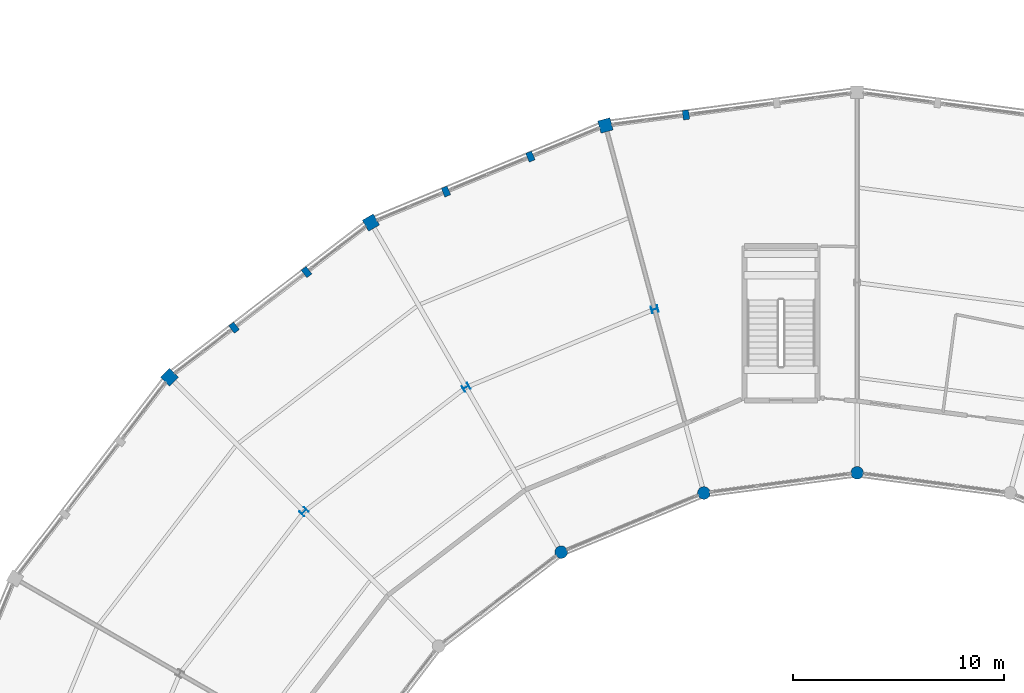
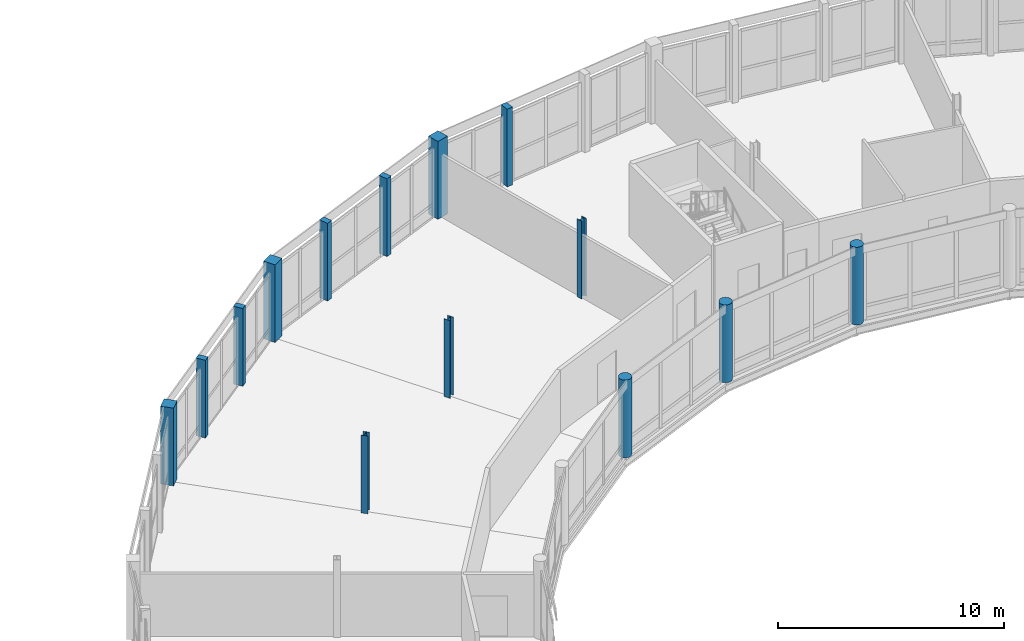
# One storey, part 12 of 170: 14 columns.
"""IFC4 building model written with IfcOpenShell, lengths in metres."""

from ifc_helpers import new_model, si_unit, direction, frame, origin, origin_2d, place, context, subcontext, project, spatial, rectangle, circle, i_section, extrude, material, material_profile, profile_set, type_object, element, save


model = new_model("IFC4")

# Units and contexts
model_context = context("Model", 3, precision=1e-05, world=origin(), true_north=direction((0.0, 1.0)))
body_context = subcontext(model_context, "Body", "Model", "MODEL_VIEW")
ifc_project = project(units=[si_unit("LENGTHUNIT", "METRE"), si_unit("AREAUNIT", "SQUARE_METRE"), si_unit("VOLUMEUNIT", "CUBIC_METRE"), si_unit("PLANEANGLEUNIT", "RADIAN"), si_unit("MASSUNIT", "GRAM", prefix="KILO")], contexts=[model_context])

# Site, building, storey
site_placement = place(None, origin())
site = spatial("IfcSite", under=ifc_project, at=site_placement, CompositionType="ELEMENT")
building_placement = place(site_placement, origin())
building = spatial("IfcBuilding", under=site, at=building_placement, Name="Vondelvale Polytechnic", CompositionType="ELEMENT")
storey_placement = place(building_placement, frame((0.0, 0.0, 5.39990234375)))
storey = spatial("IfcBuildingStorey", under=building, at=storey_placement, Name="L01", CompositionType="ELEMENT", Elevation=5.39990234375)

# Columns
ifc_material_1 = material(Name="Glulam GL18 structural Tasmanian oak (fb = 42 MPa)", Category="wood")
ifc_material_profile_1 = material_profile(ifc_material_1, rectangle(XDim=0.300048828125, YDim=0.449951171875, at=origin_2d()), Name="GL-POST-300x450")
ifc_profile_set_1 = profile_set([ifc_material_profile_1], Name="Glulam GL18 structural Tasmanian oak (fb = 42 MPa)")
column_type_1 = type_object("IfcColumnType", Name="COL-GLULAM-300x450", PredefinedType="PILASTER", material=ifc_profile_set_1)
for number, where, z_axis, x_axis, name in (
    (1, (93.904052734375, 116.93408203125, 0.0), (0.0, 0.0, 1.0), (0.991444861374, 0.13052619222, 0.0), "L01 ring outer glulam timber post C06-P2"),
    (2, (86.544189453125, 114.962158203125, 0.0), (0.0, 0.0, 1.0), (0.923879532511, 0.382683432365, 0.0), "L01 ring outer glulam timber post C07-P1"),
    (3, (82.55029296875, 113.3076171875, 0.0), (0.0, 0.0, 1.0), (0.923879532511, 0.382683432365, 0.0), "L01 ring outer glulam timber post C07-P2"),
    (4, (75.951416015625, 109.497802734375, 0.0), (0.0, 0.0, 1.0), (0.793353340291, 0.608761429009, 0.0), "L01 ring outer glulam timber post C08-P1"),
    (5, (72.521728515625, 106.8662109375, 0.0), (0.0, 0.0, 1.0), (0.793353340291, 0.608761429009, 0.0), "L01 ring outer glulam timber post C08-P2"),
):
    element("IfcColumn", number, at=place(storey_placement, frame(where, z_axis=z_axis, x_axis=x_axis)), inside=storey, type_object=column_type_1, Name=name, PredefinedType="PILASTER", context=body_context, shape_type="SweptSolid", body=[
        extrude(rectangle(XDim=0.300048828125, YDim=0.449951171875, at=origin_2d()), origin(), (0.0, 0.0, 1.0), 4.2001953125),
    ])
ifc_material_2 = material(Name="Concrete N50 (f'c = 50 MPa)", Category="concrete")
ifc_material_profile_2 = material_profile(ifc_material_2, rectangle(XDim=0.60009765625, YDim=0.60009765625, at=origin_2d()), Name="RC-COL-600x600")
ifc_profile_set_2 = profile_set([ifc_material_profile_2], Name="Concrete N50 (f'c = 50 MPa)")
column_type_2 = type_object("IfcColumnType", Name="COL-RC600", PredefinedType="COLUMN", material=ifc_profile_set_2)
for number, where, z_axis, x_axis, name in (
    (6, (90.09423828125, 116.4326171875, 0.0), (0.0, 0.0, 1.0), (-0.258819045103, 0.965925826289, 0.0), "L01 courtyard ring column S07-RO"),
    (7, (79.0, 111.837158203125, 0.0), (0.0, 0.0, 1.0), (-0.5, 0.866025403784, 0.0), "L01 courtyard ring column S08-RO"),
    (8, (69.47314453125, 104.52685546875, 0.0), (0.0, 0.0, 1.0), (-0.707106781187, 0.707106781187, 0.0), "L01 courtyard ring column S09-RO"),
):
    element("IfcColumn", number, at=place(storey_placement, frame(where, z_axis=z_axis, x_axis=x_axis)), inside=storey, type_object=column_type_2, Name=name, PredefinedType="COLUMN", context=body_context, shape_type="SweptSolid", body=[
        extrude(rectangle(XDim=0.60009765625, YDim=0.60009765625, at=origin_2d()), origin(), (0.0, 0.0, 1.0), 4.2001953125),
    ])
ifc_material_profile_3 = material_profile(ifc_material_2, circle(Radius=0.300048828125, at=origin_2d()), Name="RC-COL-D600")
ifc_profile_set_3 = profile_set([ifc_material_profile_3], Name="Concrete N50 (f'c = 50 MPa)")
column_type_3 = type_object("IfcColumnType", Name="COL-RCD600", PredefinedType="COLUMN", material=ifc_profile_set_3)
for number, where, z_axis, x_axis, name in (
    (9, (102.0, 100.0, 0.0), (0.0, 0.0, 1.0), (0.0, 1.0, 0.0), "L01 courtyard ring column S06-RI"),
    (10, (94.753173828125, 99.0458984375, 0.0), (0.0, 0.0, 1.0), (-0.258819045103, 0.965925826289, 0.0), "L01 courtyard ring column S07-RI"),
    (11, (88.0, 96.248779296875, 0.0), (0.0, 0.0, 1.0), (-0.5, 0.866025403784, 0.0), "L01 courtyard ring column S08-RI"),
):
    element("IfcColumn", number, at=place(storey_placement, frame(where, z_axis=z_axis, x_axis=x_axis)), inside=storey, type_object=column_type_3, Name=name, PredefinedType="COLUMN", context=body_context, shape_type="SweptSolid", body=[
        extrude(circle(Radius=0.300048828125, at=origin_2d()), origin(), (0.0, 0.0, 1.0), 4.2001953125),
    ])
ifc_material_3 = material(Name="Steel 300PLUS (fy = 300 MPa)", Category="steel")
ifc_material_profile_4 = material_profile(ifc_material_3, i_section(OverallWidth=0.306884765625, OverallDepth=0.31494140625, WebThickness=0.011962890625, FlangeThickness=0.018798828125, FilletRadius=0.0166015625, at=origin_2d()), Name="310UC118")
ifc_profile_set_4 = profile_set([ifc_material_profile_4], Name="Steel 300PLUS (fy = 300 MPa)")
column_type_4 = type_object("IfcColumnType", Name="COL-UC310", PredefinedType="COLUMN", material=ifc_profile_set_4)
for number, where, z_axis, x_axis, name in (
    (12, (92.423583984375, 107.7392578125, 0.0), (0.0, 0.0, 1.0), (-0.258819045103, 0.965925826289, 0.0), "L01 courtyard ring column S07-RM"),
    (13, (83.5, 104.04296875, 0.0), (0.0, 0.0, 1.0), (-0.5, 0.866025403784, 0.0), "L01 courtyard ring column S08-RM"),
    (14, (75.8369140625, 98.1630859375, 0.0), (0.0, 0.0, 1.0), (-0.707106781187, 0.707106781187, 0.0), "L01 courtyard ring column S09-RM"),
):
    element("IfcColumn", number, at=place(storey_placement, frame(where, z_axis=z_axis, x_axis=x_axis)), inside=storey, type_object=column_type_4, Name=name, PredefinedType="COLUMN", context=body_context, shape_type="SweptSolid", body=[
        extrude(i_section(OverallWidth=0.306884765625, OverallDepth=0.31494140625, WebThickness=0.011962890625, FlangeThickness=0.018798828125, FilletRadius=0.0166015625, at=origin_2d()), origin(), (0.0, 0.0, 1.0), 4.2001953125),
    ])

save(model, "model.ifc")
